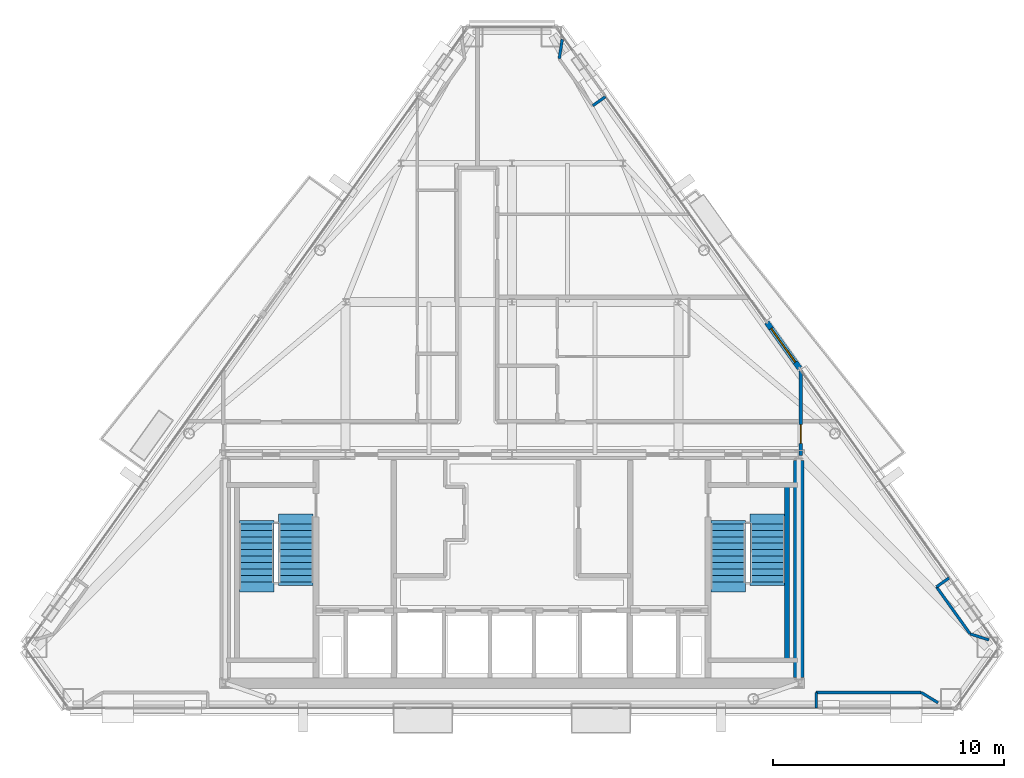
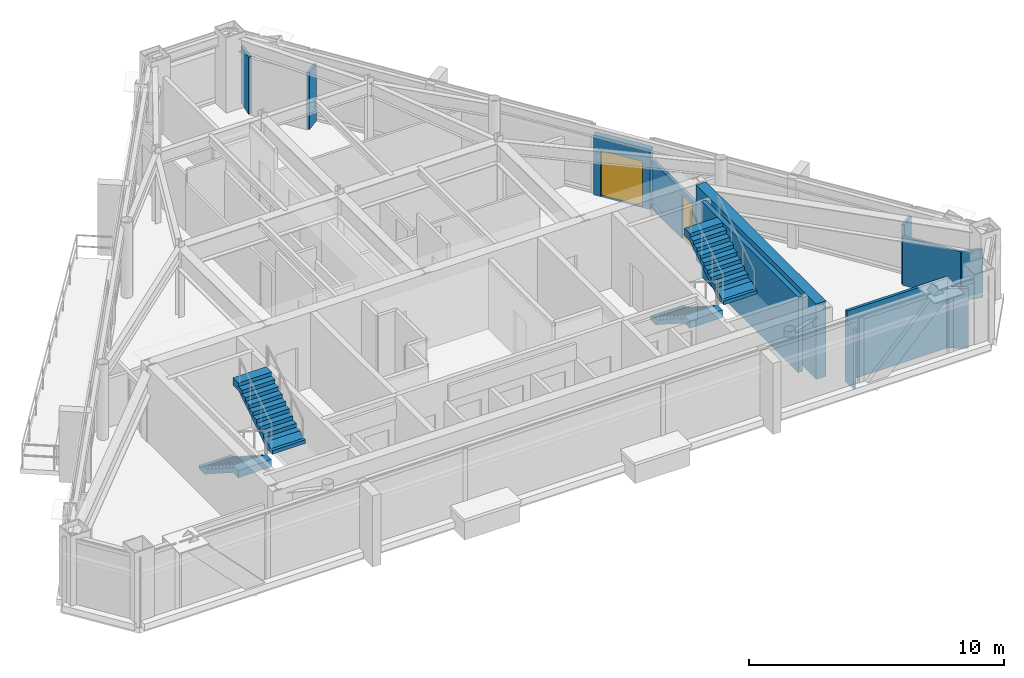
# One storey, part 10 of 12: 12 walls, 4 stair flights, 2 doors, 2 openings, 2 elements without a shape of their own.
"""IFC4 building model written with IfcOpenShell, lengths in metres."""

import ifcopenshell
import ifcopenshell.guid

model = None  # the IFC model being written
_history = None  # IfcOwnerHistory: only IFC2X3 demands one
_inside = {}  # id of a spatial element -> (the spatial element, [elements in it])
_under = {}  # id of a project, library or spatial element -> (it, [spatial elements below it])
_declared = {}  # id of a project -> (the project, [libraries it declares])
_typed = {}  # id of a type object -> (the type object, [elements of that type])
_made_of = {}  # id of a material, layer set ... -> (it, [elements and type objects made of it])


def new_model(schema):
    """Start an empty IFC model of exactly this schema.

    Asked for "IFC4X3", IfcOpenShell would pick the latest addendum, in which some entities
    have other attributes; the version numbers below select the first issue.
    IFC2X3 requires an IfcOwnerHistory on every rooted entity: one is made here for all.
    """
    global model, _history
    if schema == "IFC4X3":
        model = ifcopenshell.file(schema_version=(4, 3, 0, 0))
    else:
        model = ifcopenshell.file(schema=schema)
    _inside.clear()
    _under.clear()
    _declared.clear()
    _typed.clear()
    _made_of.clear()
    _history = None
    if model.schema == "IFC2X3":
        org = make("IfcOrganization", Name="unknown")
        user = make(
            "IfcPersonAndOrganization",
            ThePerson=make("IfcPerson", FamilyName="unknown"),
            TheOrganization=org,
        )
        app = make(
            "IfcApplication",
            ApplicationDeveloper=org,
            Version="unknown",
            ApplicationFullName="unknown",
            ApplicationIdentifier="unknown",
        )
        _history = make(
            "IfcOwnerHistory",
            OwningUser=user,
            OwningApplication=app,
            ChangeAction="ADDED",
            CreationDate=0,
        )
    return model


def make(cls, **values):
    """One entity of the class cls with the attributes given. An attribute that is None is left unset."""
    return model.create_entity(
        cls, **{name: value for name, value in values.items() if value is not None}
    )


def rooted(cls, **values):
    """An entity with a GlobalId (a new one), such as an element, a storey or a relation."""
    return make(cls, GlobalId=ifcopenshell.guid.new(), OwnerHistory=_history, **values)


def si_unit(unit_type, name, prefix=None):
    """IfcSIUnit, for example si_unit("LENGTHUNIT", "METRE", prefix="MILLI")."""
    return make("IfcSIUnit", UnitType=unit_type, Prefix=prefix, Name=name)


def assignment(units):
    """IfcUnitAssignment: the units of a project."""
    return None if units is None else make("IfcUnitAssignment", Units=units)


def point(xyz):
    """IfcCartesianPoint."""
    return None if xyz is None else make("IfcCartesianPoint", Coordinates=xyz)


def direction(xyz):
    """IfcDirection."""
    return None if xyz is None else make("IfcDirection", DirectionRatios=xyz)


def frame(location, z_axis=None, x_axis=None):
    """IfcAxis2Placement3D, a coordinate frame: its origin and axes. An axis left out is left unset."""
    return make(
        "IfcAxis2Placement3D",
        Location=point(location),
        Axis=direction(z_axis),
        RefDirection=direction(x_axis),
    )


def frame_2d(location, x_axis=None):
    """IfcAxis2Placement2D, a coordinate frame in the plane: its origin and x axis."""
    return make(
        "IfcAxis2Placement2D", Location=point(location), RefDirection=direction(x_axis)
    )


def origin():
    """The frame at (0, 0, 0) with its axes left unset."""
    return frame((0.0, 0.0, 0.0))


def place(relative_to, where):
    """IfcLocalPlacement: puts the frame where relative to a parent placement (None: the world)."""
    return make(
        "IfcLocalPlacement", PlacementRelTo=relative_to, RelativePlacement=where
    )


def context(
    kind, dimensions, precision=None, world=None, true_north=None, identifier=None
):
    """IfcGeometricRepresentationContext, for example the 3D "Model" context."""
    return make(
        "IfcGeometricRepresentationContext",
        ContextIdentifier=identifier,
        ContextType=kind,
        CoordinateSpaceDimension=dimensions,
        Precision=precision,
        WorldCoordinateSystem=world,
        TrueNorth=true_north,
    )


def subcontext(parent, identifier, kind, view, scale=None):
    """IfcGeometricRepresentationSubContext, for example "Body" below "Model"."""
    return make(
        "IfcGeometricRepresentationSubContext",
        ContextIdentifier=identifier,
        ContextType=kind,
        ParentContext=parent,
        TargetScale=scale,
        TargetView=view,
    )


def project(units=None, contexts=None):
    """IfcProject with its units and contexts."""
    return rooted(
        "IfcProject",
        Name="project",
        RepresentationContexts=contexts,
        UnitsInContext=assignment(units),
    )


def spatial(cls, under=None, at=None, **own):
    """A site, building, storey or space (cls), placed at a placement, below another one or the project."""
    s = rooted(cls, ObjectPlacement=at, **own)
    if under is not None:
        _under.setdefault(under.id(), (under, []))[1].append(s)
    return s


def polyline(points):
    """IfcPolyline through the points."""
    return make("IfcPolyline", Points=[point(p) for p in points])


def profile(cls, at=None, kind="AREA", **sizes):
    """A parametric profile (cls). Its sizes go by their IFC names, for example OverallWidth=200.0."""
    return make(cls, ProfileType=kind, Position=at, **sizes)


def rectangle(**sizes):
    """IfcRectangleProfileDef."""
    return profile("IfcRectangleProfileDef", **sizes)


def outline(outer, holes=None, kind="AREA"):
    """IfcArbitraryClosedProfileDef: a profile drawn as a closed curve; with holes, ...WithVoids."""
    if holes is None:
        return make("IfcArbitraryClosedProfileDef", ProfileType=kind, OuterCurve=outer)
    return make(
        "IfcArbitraryProfileDefWithVoids",
        ProfileType=kind,
        OuterCurve=outer,
        InnerCurves=holes,
    )


def extrude(swept, where, along, depth):
    """IfcExtrudedAreaSolid: the profile swept, set in the frame where, extruded along a direction by depth."""
    return make(
        "IfcExtrudedAreaSolid",
        SweptArea=swept,
        Position=where,
        ExtrudedDirection=direction(along),
        Depth=depth,
    )


def shape(context_of_items, identifier, shape_type, items):
    """IfcShapeRepresentation: the items that make up one representation, for example the "Body"."""
    return make(
        "IfcShapeRepresentation",
        ContextOfItems=context_of_items,
        RepresentationIdentifier=identifier,
        RepresentationType=shape_type,
        Items=items,
    )


def material(Name=None, Category=None):
    """IfcMaterial."""
    return make("IfcMaterial", Name=Name, Category=Category)


def layer(
    of_material, thickness, ventilated=None, Name=None, Category=None, Priority=None
):
    """IfcMaterialLayer: one layer of a wall or slab, of a material (None: an air gap)."""
    return make(
        "IfcMaterialLayer",
        Material=of_material,
        LayerThickness=thickness,
        IsVentilated=ventilated,
        Name=Name,
        Category=Category,
        Priority=Priority,
    )


def layer_set(layers, Name=None):
    """IfcMaterialLayerSet."""
    return make("IfcMaterialLayerSet", MaterialLayers=layers, LayerSetName=Name)


def made_of(thing, what):
    """Note that an element or type object is made of a material, layer set ...; save() writes the relation."""
    if what is not None:
        _made_of.setdefault(what.id(), (what, []))[1].append(thing)
    return thing


def type_object(cls, material=None, **own):
    """A type object (cls), such as IfcWallType, which elements share."""
    return made_of(rooted(cls, **own), material)


def element(
    cls,
    number,
    at=None,
    inside=None,
    cuts=None,
    type_object=None,
    material=None,
    context=None,
    identifier="Body",
    shape_type=None,
    held_by="IfcProductDefinitionShape",
    body=None,
    shapes=None,
    **own,
):
    """One element of the class cls, such as IfcWall. Its Tag is "e" and its number.

    at: its placement. inside: the storey or other place that contains it. cuts: it is an
    opening in that element (IfcRelVoidsElement). A single representation is given by context,
    identifier, shape_type and body (its items); several are given by shapes. held_by: the class
    of the entity that holds the representations. save() writes the other relations.
    """
    e = rooted(cls, Tag="e%d" % number, ObjectPlacement=at, **own)
    if body is not None:
        shapes = [shape(context, identifier, shape_type, body)]
    if shapes is not None:
        e.Representation = make(held_by, Representations=shapes)
    if inside is not None:
        _inside.setdefault(inside.id(), (inside, []))[1].append(e)
    if cuts is not None:
        rooted(
            "IfcRelVoidsElement", RelatingBuildingElement=cuts, RelatedOpeningElement=e
        )
    if type_object is not None:
        _typed.setdefault(type_object.id(), (type_object, []))[1].append(e)
    return made_of(e, material)


def fill(opening, filler):
    """IfcRelFillsElement: the door or window that sits in an opening."""
    return rooted(
        "IfcRelFillsElement",
        RelatingOpeningElement=opening,
        RelatedBuildingElement=filler,
    )


def aggregate(whole, parts):
    """IfcRelAggregates: a whole, such as a stair, and the parts it consists of."""
    return rooted("IfcRelAggregates", RelatingObject=whole, RelatedObjects=parts)


def save(model, path):
    """Write the relations noted so far, then the file.

    IfcRelAggregates (storeys below a building ...), IfcRelContainedInSpatialStructure (elements
    in a storey), IfcRelDefinesByType, IfcRelAssociatesMaterial and IfcRelDeclares: one each for
    every whole, place, type object, material and project.
    """
    for whole, parts in _under.values():
        aggregate(whole, parts)
    for where, things in _inside.values():
        rooted(
            "IfcRelContainedInSpatialStructure",
            RelatedElements=things,
            RelatingStructure=where,
        )
    for kind, things in _typed.values():
        rooted("IfcRelDefinesByType", RelatedObjects=things, RelatingType=kind)
    for what, things in _made_of.values():
        rooted("IfcRelAssociatesMaterial", RelatedObjects=things, RelatingMaterial=what)
    for by, libraries in _declared.values():
        rooted("IfcRelDeclares", RelatingContext=by, RelatedDefinitions=libraries)
    model.write(path)


model = new_model("IFC4")

# Units and contexts
model_context = context("Model", 3, precision=1e-05, world=origin(), true_north=direction((0.0, 1.0)))
body_context = subcontext(model_context, "Body", "Model", "MODEL_VIEW")
ifc_project = project(units=[si_unit("LENGTHUNIT", "METRE"), si_unit("AREAUNIT", "SQUARE_METRE"), si_unit("VOLUMEUNIT", "CUBIC_METRE"), si_unit("PLANEANGLEUNIT", "RADIAN"), si_unit("MASSUNIT", "GRAM", prefix="KILO")], contexts=[model_context])

# Site, building, storey
site_placement = place(None, origin())
site = spatial("IfcSite", under=ifc_project, at=site_placement, CompositionType="ELEMENT")
building_placement = place(site_placement, origin())
building = spatial("IfcBuilding", under=site, at=building_placement, Name="Talgorran Terracotta Tower", CompositionType="ELEMENT")
storey_placement = place(building_placement, frame((0.0, 0.0, 277.800048828125)))
storey = spatial("IfcBuildingStorey", under=building, at=storey_placement, Name="L73", CompositionType="ELEMENT", Elevation=277.800048828125)

# Wall, opening, door
ifc_material_1 = material(Name="Concrete C40/50", Category="concrete")
ifc_layer_1 = layer(ifc_material_1, 0.239990234375, Name="WT_BALCONY_SPAND")
ifc_layer_set_1 = layer_set([ifc_layer_1], Name="Concrete C40/50")
wall_type_1 = type_object("IfcWallType", Name="WT_BALCONY_SPAND", PredefinedType="STANDARD", material=ifc_layer_set_1)
wall_1_placement = place(storey_placement, frame((12.447021484375, -0.470703125, -0.01513671875), z_axis=(0.0, 0.0, 1.0), x_axis=(-0.581219264245, 0.813746991927, 0.0)))
wall_1 = element("IfcWall", 1, at=wall_1_placement, inside=storey, type_object=wall_type_1, Name="WL-L73-BALP-BAL-NE", PredefinedType="STANDARD", context=body_context, shape_type="SweptSolid", body=[
    extrude(rectangle(XDim=2.440185546875, YDim=0.239990234375, at=frame_2d((1.22021484375, 0.0))), origin(), (0.0, 0.0, 1.0), 2.878173828125),
])
opening_1_placement = place(wall_1_placement, frame((0.320068359375, 0.0, 0.014892578125)))
opening_1 = element("IfcOpeningElement", 2, at=opening_1_placement, cuts=wall_1, Name="Opening D-BAL-L73-1", PredefinedType="OPENING", context=body_context, shape_type="SweptSolid", body=[
    extrude(rectangle(XDim=1.806048828125, YDim=2.203951171875, at=frame_2d((0.89990234375, 1.10205078125))), frame((0.0, 0.1298828125, 0.0), z_axis=(0.0, -1.0, 0.0), x_axis=(1.0, 0.0, 0.0)), (0.0, 0.0, 1.0), 0.260009765625),
])
ifc_material_2 = material(Name="Thermally Broken Aluminium", Category="aluminium")
door_type_1 = type_object("IfcDoorType", Name="DT_BALC_1800", OperationType="SLIDING_TO_LEFT", PredefinedType="DOOR", material=ifc_material_2)
door_1_placement = place(opening_1_placement, origin())
door_1 = element("IfcDoor", 3, at=door_1_placement, inside=storey, type_object=door_type_1, Name="DR-L73-BAL-BAL-NE", OperationType="SLIDING_TO_LEFT", OverallHeight=2.199951171875, OverallWidth=1.800048828125, PredefinedType="DOOR", context=body_context, shape_type="SweptSolid", body=[
    extrude(rectangle(XDim=1.800048828125, YDim=2.199951171875, at=frame_2d((0.89990234375, 1.10009765625))), frame((0.0, 0.02490234375, 0.0), z_axis=(0.0, -1.0, 0.0), x_axis=(1.0, 0.0, 0.0)), (0.0, 0.0, 1.0), 0.050048828125),
])
fill(opening_1, door_1)

# Walls
ifc_material_3 = material(Name="Concrete C50/60", Category="concrete")
ifc_layer_2 = layer(ifc_material_3, 0.199951171875, Name="WT_CORE_200")
ifc_layer_set_2 = layer_set([ifc_layer_2], Name="Concrete C50/60")
wall_type_2 = type_object("IfcWallType", Name="WT_CORE_200", PredefinedType="SOLIDWALL", material=ifc_layer_set_2)
wall_2_placement = place(storey_placement, frame((11.89990234375, -13.10009765625, 0.0), z_axis=(0.0, 0.0, 1.0), x_axis=(0.0, 1.0, 0.0)))
element("IfcWall", 4, at=wall_2_placement, inside=storey, type_object=wall_type_2, Name="WL-L73-CW-ST2-E", PredefinedType="SOLIDWALL", context=body_context, shape_type="SweptSolid", body=[
    extrude(rectangle(XDim=7.580078125, YDim=0.199951171875, at=frame_2d((3.7900390625, 0.0))), origin(), (0.0, 0.0, 1.0), 3.599853515625),
])
ifc_material_4 = material(Name="Concrete C65/80", Category="concrete")
ifc_layer_3 = layer(ifc_material_4, 0.449951171875, Name="WT_CORE_EXT")
ifc_layer_set_3 = layer_set([ifc_layer_3], Name="Concrete C65/80")
wall_type_3 = type_object("IfcWallType", Name="WT_CORE_EXT", PredefinedType="SHEAR", material=ifc_layer_set_3)
wall_3_placement = place(storey_placement, frame((12.39990234375, -13.85009765625, 0.0), z_axis=(0.0, 0.0, 1.0), x_axis=(0.0, 1.0, 0.0)))
element("IfcWall", 5, at=wall_3_placement, inside=storey, type_object=wall_type_3, Name="WL-L73-CW-OUT-E", PredefinedType="SHEAR", context=body_context, shape_type="SweptSolid", body=[
    extrude(rectangle(XDim=9.400146484375, YDim=0.449951171875, at=frame_2d((4.7001953125, 0.0))), origin(), (0.0, 0.0, 1.0), 3.599853515625),
])

# Wall, opening, door
ifc_material_5 = material(Name="Fire-Rated Steel Stud Plasterboard", Category="steel")
ifc_layer_4 = layer(ifc_material_5, 0.14990234375, Name="WT_FIRE_150")
ifc_layer_set_4 = layer_set([ifc_layer_4], Name="Fire-Rated Steel Stud Plasterboard")
wall_type_4 = type_object("IfcWallType", Name="WT_FIRE_150", PredefinedType="PARTITIONING", material=ifc_layer_set_4)
wall_4_placement = place(storey_placement, frame((12.5, -4.239990234375, 0.0), z_axis=(0.0, 0.0, 1.0), x_axis=(0.0, 1.0, 0.0)))
wall_4 = element("IfcWall", 6, at=wall_4_placement, inside=storey, type_object=wall_type_4, Name="WL-L73-W-L73-R02", PredefinedType="PARTITIONING", context=body_context, shape_type="SweptSolid", body=[
    extrude(rectangle(XDim=3.695068359375, YDim=0.14990234375, at=frame_2d((1.84765625, 0.0))), origin(), (0.0, 0.0, 1.0), 2.320068359375),
])
opening_2_placement = place(wall_4_placement, frame((0.515625, 0.0, 0.0)))
opening_2 = element("IfcOpeningElement", 7, at=opening_2_placement, cuts=wall_4, Name="Opening DR-L73-R02", PredefinedType="OPENING", context=body_context, shape_type="SweptSolid", body=[
    extrude(rectangle(XDim=0.826068359375, YDim=2.10409765625, at=frame_2d((0.41015625, 1.052001953125))), frame((0.0, 0.0849609375, 0.0), z_axis=(0.0, -1.0, 0.0), x_axis=(1.0, 0.0, 0.0)), (0.0, 0.0, 1.0), 0.169921875),
])
ifc_material_6 = material(Name="Moisture-Resistant Solid Timber", Category="wood")
door_type_2 = type_object("IfcDoorType", Name="DT_INT_820", OperationType="NOTDEFINED", PredefinedType="DOOR", material=ifc_material_6)
door_2_placement = place(opening_2_placement, origin())
door_2 = element("IfcDoor", 8, at=door_2_placement, inside=storey, type_object=door_type_2, Name="DR-L73-R02", OperationType="SINGLE_SWING_RIGHT", OverallHeight=2.10009765625, OverallWidth=0.820068359375, PredefinedType="DOOR", context=body_context, shape_type="SweptSolid", body=[
    extrude(rectangle(XDim=0.820068359375, YDim=2.10009765625, at=frame_2d((0.41015625, 1.050048828125))), frame((0.0, 0.02490234375, 0.0), z_axis=(0.0, -1.0, 0.0), x_axis=(1.0, 0.0, 0.0)), (0.0, 0.0, 1.0), 0.050048828125),
])
fill(opening_2, door_2)

# Walls
ifc_material_7 = material(Name="Insulated Steel Stud Plasterboard", Category="steel")
ifc_layer_5 = layer(ifc_material_7, 0.1201171875, Name="WT_PART_120")
ifc_layer_set_5 = layer_set([ifc_layer_5], Name="Insulated Steel Stud Plasterboard")
wall_type_5 = type_object("IfcWallType", Name="WT_PART_120", PredefinedType="PARTITIONING", material=ifc_layer_set_5)
wall_5_placement = place(storey_placement, frame((13.162353515625, -14.494384765625, 0.0), z_axis=(0.0, 0.0, 1.0), x_axis=(1.0, 0.0, 0.0)))
element("IfcWall", 9, at=wall_5_placement, inside=storey, type_object=wall_type_5, Name="WL-L73-BW-L73-06", PredefinedType="PARTITIONING", context=body_context, shape_type="SweptSolid", body=[
    extrude(rectangle(XDim=4.5390625, YDim=0.1201171875, at=frame_2d((2.26953125, 0.0))), origin(), (0.0, 0.0, 1.0), 3.344970703125),
])
wall_6_placement = place(storey_placement, frame((19.81982421875, -11.9619140625, 0.0), z_axis=(0.0, 0.0, 1.0), x_axis=(-0.581293660329, 0.813693849344, 0.0)))
element("IfcWall", 10, at=wall_6_placement, inside=storey, type_object=wall_type_5, Name="WL-L73-BW-L73-12", PredefinedType="PARTITIONING", context=body_context, shape_type="SweptSolid", body=[
    extrude(rectangle(XDim=2.498046875, YDim=0.1201171875, at=frame_2d((1.2490234375, 0.0))), origin(), (0.0, 0.0, 1.0), 2.320068359375),
])
wall_7_placement = place(storey_placement, frame((17.701416015625, -14.494384765625, 0.0), z_axis=(0.0, 0.0, 1.0), x_axis=(0.853211335825, -0.521565352013, 0.0)))
element("IfcWall", 11, at=wall_7_placement, inside=storey, type_object=wall_type_5, Name="WL-L73-BW-L73-04", PredefinedType="PARTITIONING", context=body_context, shape_type="SweptSolid", body=[
    extrude(rectangle(XDim=0.856201171875, YDim=0.1201171875, at=frame_2d((0.42822265625, 0.0))), origin(), (0.0, 0.0, 1.0), 2.863037109375),
])
wall_8_placement = place(storey_placement, frame((20.6328125, -12.22216796875, 0.0), z_axis=(0.0, 0.0, 1.0), x_axis=(-0.952390933617, 0.304879500071, 0.0)))
element("IfcWall", 12, at=wall_8_placement, inside=storey, type_object=wall_type_5, Name="WL-L73-BW-L73-11", PredefinedType="PARTITIONING", context=body_context, shape_type="SweptSolid", body=[
    extrude(rectangle(XDim=0.853515625, YDim=0.1201171875, at=frame_2d((0.4267578125, 0.0))), origin(), (0.0, 0.0, 1.0), 2.320068359375),
])
wall_9_placement = place(storey_placement, frame((2.04296875, 12.9248046875, 0.0), z_axis=(0.0, 0.0, 1.0), x_axis=(0.154280473586, 0.988027092478, 0.0)))
element("IfcWall", 13, at=wall_9_placement, inside=storey, type_object=wall_type_5, Name="WL-L73-BW-L73-18", PredefinedType="PARTITIONING", context=body_context, shape_type="SweptSolid", body=[
    extrude(rectangle(XDim=0.849853515625, YDim=0.1201171875, at=frame_2d((0.4248046875, 0.0))), origin(), (0.0, 0.0, 1.0), 2.718017578125),
])
for number, where, z_axis, x_axis, name in (
    (14, (13.162353515625, -15.164306640625, 0.0), (0.0, 0.0, 1.0), (0.0, 1.0, 0.0), "WL-L73-BW-L73-05"),
    (15, (18.36767578125, -9.92919921875, 0.0), (0.0, 0.0, 1.0), (0.813733471207, 0.581238193719, 0.0), "WL-L73-BW-L73-10"),
):
    element("IfcWall", number, at=place(storey_placement, frame(where, z_axis=z_axis, x_axis=x_axis)), inside=storey, type_object=wall_type_5, Name=name, PredefinedType="PARTITIONING", context=body_context, shape_type="SweptSolid", body=[
        extrude(rectangle(XDim=0.669921875, YDim=0.1201171875, at=frame_2d((0.3349609375, 0.0))), origin(), (0.0, 0.0, 1.0), 2.863037109375),
    ])
wall_10_placement = place(storey_placement, frame((4.040283203125, 11.28125, 0.0), z_axis=(0.0, 0.0, 1.0), x_axis=(-0.813733471207, -0.581238193719, 0.0)))
element("IfcWall", 16, at=wall_10_placement, inside=storey, type_object=wall_type_5, Name="WL-L73-BW-L73-16", PredefinedType="PARTITIONING", context=body_context, shape_type="SweptSolid", body=[
    extrude(rectangle(XDim=0.669921875, YDim=0.1201171875, at=frame_2d((0.3349609375, 0.0))), origin(), (0.0, 0.0, 1.0), 2.718017578125),
])

# Stair, stair flights
stair_type = type_object("IfcStairType", Name="ST_FIRE_SCISSOR", PredefinedType="HALF_TURN_STAIR", material=ifc_material_1)
stair_1_placement = place(storey_placement, origin())
stair_1 = element("IfcStair", 17, at=stair_1_placement, inside=storey, type_object=stair_type, Name="L73 West Protected Fire Stair ST-01", PredefinedType="HALF_TURN_STAIR")
ifc_layer_6 = layer(ifc_material_1, 0.179931640625, Name="STF_RC_1500")
ifc_layer_set_6 = layer_set([ifc_layer_6], Name="Concrete C40/50")
stair_flight_type = type_object("IfcStairFlightType", Name="STF_RC_1500", PredefinedType="STRAIGHT", material=ifc_layer_set_6)
stair_flight_1_placement = place(storey_placement, frame((-11.050048828125, -7.199951171875, 0.0), z_axis=(0.0, 0.0, 1.0), x_axis=(0.0, -1.0, 0.0)))
stair_flight_1 = element("IfcStairFlight", 18, at=stair_flight_1_placement, type_object=stair_flight_type, Name="ST-01 flight 1", NumberOfRisers=10, NumberOfTreads=9, PredefinedType="STRAIGHT", RiserHeight=0.18, TreadLength=0.28, context=body_context, shape_type="SweptSolid", body=[
    extrude(outline(polyline([(-0.139892578125, 0.0), (-0.139892578125, 0.179931640625), (0.0, 0.179931640625), (0.280029296875, 0.360107421875), (0.56005859375, 0.360107421875), (0.56005859375, 0.5400390625), (0.840087890625, 0.5400390625), (0.840087890625, 0.719970703125), (1.1201171875, 0.719970703125), (1.1201171875, 0.89990234375), (1.39990234375, 0.89990234375), (1.39990234375, 1.080078125), (1.679931640625, 1.080078125), (1.679931640625, 1.260009765625), (1.9599609375, 1.260009765625), (1.9599609375, 1.43994140625), (2.239990234375, 1.43994140625), (2.239990234375, 1.6201171875), (2.52001953125, 1.6201171875), (2.52001953125, 1.800048828125), (2.93994140625, 1.800048828125), (2.93994140625, 1.44189453125), (2.52001953125, 1.44189453125), (0.277099609375, 0.0), (-0.139892578125, 0.0)])), frame((0.0, 0.75, 0.0), z_axis=(0.0, -1.0, 0.0), x_axis=(1.0, 0.0, 0.0)), (0.0, 0.0, 1.0), 1.5),
])
stair_flight_2_placement = place(storey_placement, frame((-9.35009765625, -9.719970703125, 1.800048828125), z_axis=(0.0, 0.0, 1.0), x_axis=(0.0, 1.0, 0.0)))
stair_flight_2 = element("IfcStairFlight", 19, at=stair_flight_2_placement, type_object=stair_flight_type, Name="ST-01 flight 2", NumberOfRisers=10, NumberOfTreads=9, PredefinedType="STRAIGHT", RiserHeight=0.18, TreadLength=0.28, context=body_context, shape_type="SweptSolid", body=[
    extrude(outline(polyline([(-0.139892578125, 0.0), (-0.139892578125, 0.179931640625), (0.0, 0.179931640625), (0.280029296875, 0.360107421875), (0.56005859375, 0.360107421875), (0.56005859375, 0.5400390625), (0.840087890625, 0.5400390625), (0.840087890625, 0.719970703125), (1.1201171875, 0.719970703125), (1.1201171875, 0.89990234375), (1.39990234375, 0.89990234375), (1.39990234375, 1.080078125), (1.679931640625, 1.080078125), (1.679931640625, 1.260009765625), (1.9599609375, 1.260009765625), (1.9599609375, 1.43994140625), (2.239990234375, 1.43994140625), (2.239990234375, 1.6201171875), (2.52001953125, 1.6201171875), (2.52001953125, 1.800048828125), (2.93994140625, 1.800048828125), (2.93994140625, 1.44189453125), (2.52001953125, 1.44189453125), (0.277099609375, 0.0), (-0.139892578125, 0.0)])), frame((0.0, 0.75, 0.0), z_axis=(0.0, -1.0, 0.0), x_axis=(1.0, 0.0, 0.0)), (0.0, 0.0, 1.0), 1.5),
])
aggregate(stair_1, [stair_flight_1, stair_flight_2])

stair_2_placement = place(storey_placement, origin())
stair_2 = element("IfcStair", 20, at=stair_2_placement, inside=storey, type_object=stair_type, Name="L73 East Protected Fire Stair ST-02", PredefinedType="HALF_TURN_STAIR")
stair_flight_3_placement = place(storey_placement, frame((9.35009765625, -7.199951171875, 0.0), z_axis=(0.0, 0.0, 1.0), x_axis=(0.0, -1.0, 0.0)))
stair_flight_3 = element("IfcStairFlight", 21, at=stair_flight_3_placement, type_object=stair_flight_type, Name="ST-02 flight 1", NumberOfRisers=10, NumberOfTreads=9, PredefinedType="STRAIGHT", RiserHeight=0.18, TreadLength=0.28, context=body_context, shape_type="SweptSolid", body=[
    extrude(outline(polyline([(-0.139892578125, 0.0), (-0.139892578125, 0.179931640625), (0.0, 0.179931640625), (0.280029296875, 0.360107421875), (0.56005859375, 0.360107421875), (0.56005859375, 0.5400390625), (0.840087890625, 0.5400390625), (0.840087890625, 0.719970703125), (1.1201171875, 0.719970703125), (1.1201171875, 0.89990234375), (1.39990234375, 0.89990234375), (1.39990234375, 1.080078125), (1.679931640625, 1.080078125), (1.679931640625, 1.260009765625), (1.9599609375, 1.260009765625), (1.9599609375, 1.43994140625), (2.239990234375, 1.43994140625), (2.239990234375, 1.6201171875), (2.52001953125, 1.6201171875), (2.52001953125, 1.800048828125), (2.93994140625, 1.800048828125), (2.93994140625, 1.44189453125), (2.52001953125, 1.44189453125), (0.277099609375, 0.0), (-0.139892578125, 0.0)])), frame((0.0, 0.75, 0.0), z_axis=(0.0, -1.0, 0.0), x_axis=(1.0, 0.0, 0.0)), (0.0, 0.0, 1.0), 1.5),
])
stair_flight_4_placement = place(storey_placement, frame((11.050048828125, -9.719970703125, 1.800048828125), z_axis=(0.0, 0.0, 1.0), x_axis=(0.0, 1.0, 0.0)))
stair_flight_4 = element("IfcStairFlight", 22, at=stair_flight_4_placement, type_object=stair_flight_type, Name="ST-02 flight 2", NumberOfRisers=10, NumberOfTreads=9, PredefinedType="STRAIGHT", RiserHeight=0.18, TreadLength=0.28, context=body_context, shape_type="SweptSolid", body=[
    extrude(outline(polyline([(-0.139892578125, 0.0), (-0.139892578125, 0.179931640625), (0.0, 0.179931640625), (0.280029296875, 0.360107421875), (0.56005859375, 0.360107421875), (0.56005859375, 0.5400390625), (0.840087890625, 0.5400390625), (0.840087890625, 0.719970703125), (1.1201171875, 0.719970703125), (1.1201171875, 0.89990234375), (1.39990234375, 0.89990234375), (1.39990234375, 1.080078125), (1.679931640625, 1.080078125), (1.679931640625, 1.260009765625), (1.9599609375, 1.260009765625), (1.9599609375, 1.43994140625), (2.239990234375, 1.43994140625), (2.239990234375, 1.6201171875), (2.52001953125, 1.6201171875), (2.52001953125, 1.800048828125), (2.93994140625, 1.800048828125), (2.93994140625, 1.44189453125), (2.52001953125, 1.44189453125), (0.277099609375, 0.0), (-0.139892578125, 0.0)])), frame((0.0, 0.75, 0.0), z_axis=(0.0, -1.0, 0.0), x_axis=(1.0, 0.0, 0.0)), (0.0, 0.0, 1.0), 1.5),
])
aggregate(stair_2, [stair_flight_3, stair_flight_4])

save(model, "model.ifc")
